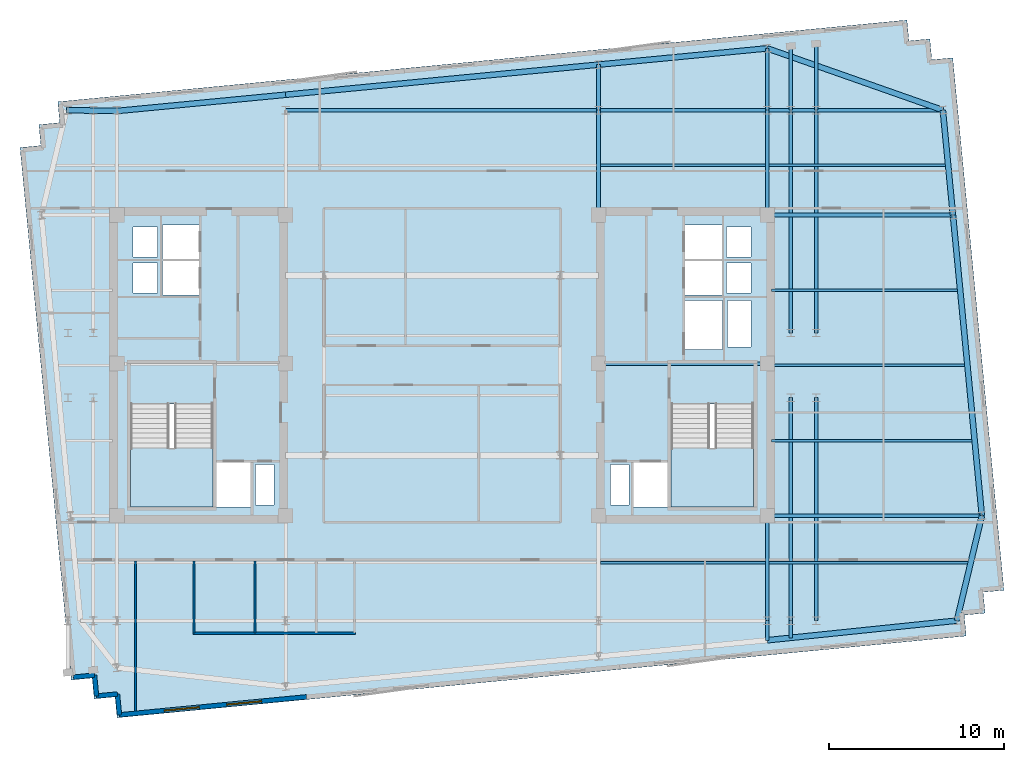
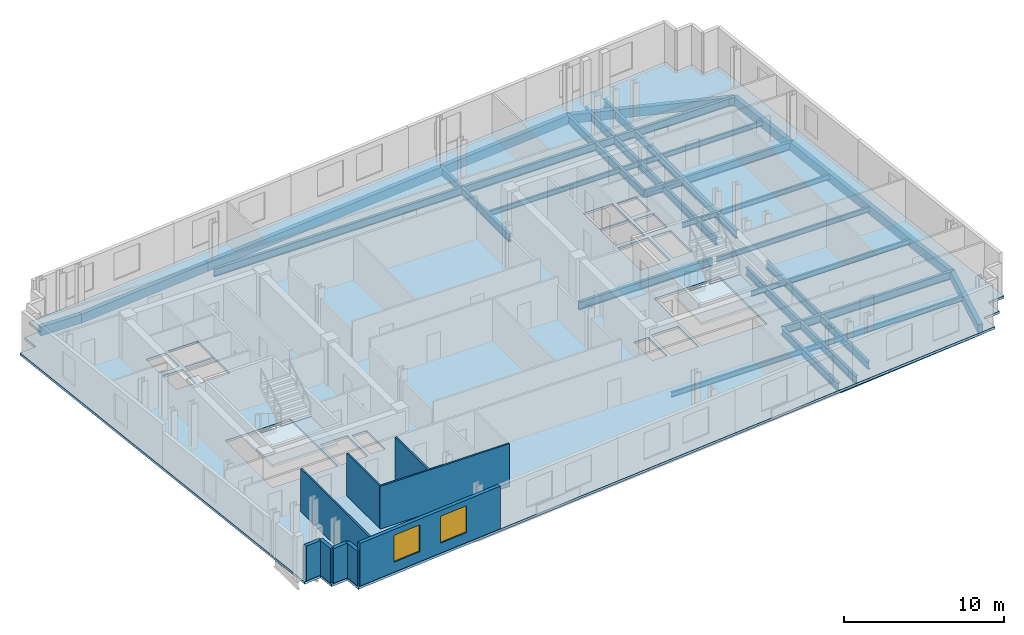
# One storey, part 2 of 8: 35 beams, 9 walls, 3 slabs, 2 windows, 2 openings, 2 elements without a shape of their own.
"""IFC4 building model written with IfcOpenShell, lengths in metres."""

from ifc_helpers import new_model, si_unit, direction, frame, frame_2d, origin, origin_2d, place, context, subcontext, project, spatial, polyline, rectangle, i_section, outline, extrude, material, layer, layer_set, material_profile, profile_set, type_object, element, fill, aggregate, save


model = new_model("IFC4")

# Units and contexts
model_context = context("Model", 3, precision=1e-05, world=origin(), true_north=direction((0.0, 1.0)))
body_context = subcontext(model_context, "Body", "Model", "MODEL_VIEW")
ifc_project = project(units=[si_unit("LENGTHUNIT", "METRE"), si_unit("AREAUNIT", "SQUARE_METRE"), si_unit("VOLUMEUNIT", "CUBIC_METRE"), si_unit("PLANEANGLEUNIT", "RADIAN"), si_unit("MASSUNIT", "GRAM", prefix="KILO")], contexts=[model_context])

# Site, building, storey
site_placement = place(None, origin())
site = spatial("IfcSite", under=ifc_project, at=site_placement, CompositionType="ELEMENT")
building_placement = place(site_placement, origin())
building = spatial("IfcBuilding", under=site, at=building_placement, Name="Velakula Bourse", CompositionType="ELEMENT")
storey_placement = place(building_placement, frame((0.0, 0.0, 255.14990234375)))
storey = spatial("IfcBuildingStorey", under=building, at=storey_placement, Name="L69", CompositionType="ELEMENT", Elevation=255.14990234375)

# Beams
ifc_material_1 = material(Name="Steel IS 2062 Grade 350 (E350)", Category="steel")
ifc_material_profile_1 = material_profile(ifc_material_1, i_section(OverallWidth=0.2099609375, OverallDepth=0.60009765625, WebThickness=0.011962890625, FlangeThickness=0.020751953125, at=origin_2d()), Name="Steel IS 2062 Grade 350 (E350)")
ifc_profile_set_1 = profile_set([ifc_material_profile_1], Name="Steel IS 2062 Grade 350 (E350)")
beam_type_1 = type_object("IfcBeamType", Name="BM-GRD-600L", PredefinedType="BEAM", material=ifc_profile_set_1)
beam_1_placement = place(storey_placement, frame((8.949951171875, 0.10009765625, -0.47998046875), z_axis=(1.0, 0.0, 0.0), x_axis=(0.0, 1.0, 0.0)))
element("IfcBeam", 1, at=beam_1_placement, inside=storey, type_object=beam_type_1, Name="L69 Primary Backbone Girder CRE-M", PredefinedType="BEAM", context=body_context, shape_type="SweptSolid", body=[
    extrude(i_section(OverallWidth=0.2099609375, OverallDepth=0.60009765625, WebThickness=0.011962890625, FlangeThickness=0.020751953125, at=origin_2d()), origin(), (0.0, 0.0, 1.0), 9.650146484375),
])
for number, where, z_axis, x_axis, name in (
    (2, (8.949951171875, 8.60009765625, -0.47998046875), (0.0, 1.0, 0.0), (-1.0, 0.0, 0.0), "L69 Fulcrum Grid Girder FLC-ECN"),
    (3, (18.60009765625, -14.60009765625, -0.47998046875), (0.0, 1.0, 0.0), (-1.0, 0.0, 0.0), "L69 Fulcrum Grid Girder FLC-ES"),
    (4, (18.60009765625, 8.60009765625, -0.47998046875), (0.0, 1.0, 0.0), (-1.0, 0.0, 0.0), "L69 Fulcrum Grid Girder FLC-EN"),
):
    element("IfcBeam", number, at=place(storey_placement, frame(where, z_axis=z_axis, x_axis=x_axis)), inside=storey, type_object=beam_type_1, Name=name, PredefinedType="BEAM", context=body_context, shape_type="SweptSolid", body=[
        extrude(i_section(OverallWidth=0.2099609375, OverallDepth=0.60009765625, WebThickness=0.011962890625, FlangeThickness=0.020751953125, at=origin_2d()), origin(), (0.0, 0.0, 1.0), 6.0),
    ])
beam_2_placement = place(storey_placement, frame((-8.949951171875, 14.60009765625, -0.47998046875), z_axis=(1.0, 0.0, 0.0), x_axis=(0.0, 1.0, 0.0)))
element("IfcBeam", 5, at=beam_2_placement, inside=storey, type_object=beam_type_1, Name="L69 Fulcrum Grid Girder FLC-N2", PredefinedType="BEAM", context=body_context, shape_type="SweptSolid", body=[
    extrude(i_section(OverallWidth=0.2099609375, OverallDepth=0.60009765625, WebThickness=0.011962890625, FlangeThickness=0.020751953125, at=origin_2d()), origin(), (0.0, 0.0, 1.0), 17.89990234375),
])
beam_3_placement = place(storey_placement, frame((8.949951171875, 14.60009765625, -0.47998046875), z_axis=(1.0, 0.0, 0.0), x_axis=(0.0, 1.0, 0.0)))
element("IfcBeam", 6, at=beam_3_placement, inside=storey, type_object=beam_type_1, Name="L69 Fulcrum Grid Girder FLC-N3", PredefinedType="BEAM", context=body_context, shape_type="SweptSolid", body=[
    extrude(i_section(OverallWidth=0.2099609375, OverallDepth=0.60009765625, WebThickness=0.011962890625, FlangeThickness=0.020751953125, at=origin_2d()), origin(), (0.0, 0.0, 1.0), 9.650146484375),
])
for number, where, z_axis, x_axis, name in (
    (7, (19.949951171875, -14.60009765625, -0.47998046875), (0.0, 1.0, 0.0), (-1.0, 0.0, 0.0), "L69 Fulcrum Grid Girder FLC-PSE1"),
    (8, (19.949951171875, 1.85009765625, -0.47998046875), (0.0, 1.0, 0.0), (-1.0, 0.0, 0.0), "L69 Fulcrum Grid Girder FLC-PNE1"),
    (9, (21.39990234375, -14.60009765625, -0.47998046875), (0.0, 1.0, 0.0), (-1.0, 0.0, 0.0), "L69 Fulcrum Grid Girder FLC-PSE2"),
    (10, (21.39990234375, 1.85009765625, -0.47998046875), (0.0, 1.0, 0.0), (-1.0, 0.0, 0.0), "L69 Fulcrum Grid Girder FLC-PNE2"),
):
    element("IfcBeam", number, at=place(storey_placement, frame(where, z_axis=z_axis, x_axis=x_axis)), inside=storey, type_object=beam_type_1, Name=name, PredefinedType="BEAM", context=body_context, shape_type="SweptSolid", body=[
        extrude(i_section(OverallWidth=0.2099609375, OverallDepth=0.60009765625, WebThickness=0.011962890625, FlangeThickness=0.020751953125, at=origin_2d()), origin(), (0.0, 0.0, 1.0), 12.75),
    ])
beam_4_placement = place(storey_placement, frame((18.60009765625, -14.60009765625, -0.47998046875), z_axis=(0.0, -1.0, 0.0), x_axis=(1.0, 0.0, 0.0)))
element("IfcBeam", 11, at=beam_4_placement, inside=storey, type_object=beam_type_1, Name="L69 Perimeter Tie Girder S4", PredefinedType="BEAM", context=body_context, shape_type="SweptSolid", body=[
    extrude(i_section(OverallWidth=0.2099609375, OverallDepth=0.60009765625, WebThickness=0.011962890625, FlangeThickness=0.020751953125, at=origin_2d()), origin(), (0.0, 0.0, 1.0), 1.1220703125),
])
beam_5_placement = place(storey_placement, frame((8.949951171875, 14.60009765625, -0.47998046875), z_axis=(0.0, 1.0, 0.0), x_axis=(-1.0, 0.0, 0.0)))
element("IfcBeam", 12, at=beam_5_placement, inside=storey, type_object=beam_type_1, Name="L69 Perimeter Tie Girder N3", PredefinedType="BEAM", context=body_context, shape_type="SweptSolid", body=[
    extrude(i_section(OverallWidth=0.2099609375, OverallDepth=0.60009765625, WebThickness=0.011962890625, FlangeThickness=0.020751953125, at=origin_2d()), origin(), (0.0, 0.0, 1.0), 2.6044921875),
])
beam_6_placement = place(storey_placement, frame((18.60009765625, 14.60009765625, -0.47998046875), z_axis=(0.0, 1.0, 0.0), x_axis=(-1.0, 0.0, 0.0)))
element("IfcBeam", 13, at=beam_6_placement, inside=storey, type_object=beam_type_1, Name="L69 Perimeter Tie Girder N4", PredefinedType="BEAM", context=body_context, shape_type="SweptSolid", body=[
    extrude(i_section(OverallWidth=0.2099609375, OverallDepth=0.60009765625, WebThickness=0.011962890625, FlangeThickness=0.020751953125, at=origin_2d()), origin(), (0.0, 0.0, 1.0), 3.53369140625),
])
beam_7_placement = place(storey_placement, frame((18.60009765625, -8.60009765625, -0.47998046875), z_axis=(1.0, 0.0, 0.0), x_axis=(0.0, 1.0, 0.0)))
element("IfcBeam", 14, at=beam_7_placement, inside=storey, type_object=beam_type_1, Name="L69 Perimeter Tie Girder E2", PredefinedType="BEAM", context=body_context, shape_type="SweptSolid", body=[
    extrude(i_section(OverallWidth=0.2099609375, OverallDepth=0.60009765625, WebThickness=0.011962890625, FlangeThickness=0.020751953125, at=origin_2d()), origin(), (0.0, 0.0, 1.0), 12.27880859375),
])
beam_8_placement = place(storey_placement, frame((18.60009765625, 8.60009765625, -0.47998046875), z_axis=(1.0, 0.0, 0.0), x_axis=(0.0, 1.0, 0.0)))
element("IfcBeam", 15, at=beam_8_placement, inside=storey, type_object=beam_type_1, Name="L69 Perimeter Tie Girder E3", PredefinedType="BEAM", context=body_context, shape_type="SweptSolid", body=[
    extrude(i_section(OverallWidth=0.2099609375, OverallDepth=0.60009765625, WebThickness=0.011962890625, FlangeThickness=0.020751953125, at=origin_2d()), origin(), (0.0, 0.0, 1.0), 10.62255859375),
])
beam_9_placement = place(storey_placement, frame((18.60009765625, 14.60009765625, -0.47998046875), z_axis=(1.0, 0.0, 0.0), x_axis=(0.0, 1.0, 0.0)))
element("IfcBeam", 16, at=beam_9_placement, inside=storey, type_object=beam_type_1, Name="L69 Perimeter Tie Girder E4", PredefinedType="BEAM", context=body_context, shape_type="SweptSolid", body=[
    extrude(i_section(OverallWidth=0.2099609375, OverallDepth=0.60009765625, WebThickness=0.011962890625, FlangeThickness=0.020751953125, at=origin_2d()), origin(), (0.0, 0.0, 1.0), 10.044921875),
])
beam_10_placement = place(storey_placement, frame((19.949951171875, -14.60009765625, -0.47998046875), z_axis=(0.0, -1.0, 0.0), x_axis=(1.0, 0.0, 0.0)))
element("IfcBeam", 17, at=beam_10_placement, inside=storey, type_object=beam_type_1, Name="L69 Perimeter Tie Girder P03", PredefinedType="BEAM", context=body_context, shape_type="SweptSolid", body=[
    extrude(i_section(OverallWidth=0.2099609375, OverallDepth=0.60009765625, WebThickness=0.011962890625, FlangeThickness=0.020751953125, at=origin_2d()), origin(), (0.0, 0.0, 1.0), 0.991943359375),
])
beam_11_placement = place(storey_placement, frame((19.949951171875, 14.60009765625, -0.47998046875), z_axis=(0.0, 1.0, 0.0), x_axis=(-1.0, 0.0, 0.0)))
element("IfcBeam", 18, at=beam_11_placement, inside=storey, type_object=beam_type_1, Name="L69 Perimeter Tie Girder P07", PredefinedType="BEAM", context=body_context, shape_type="SweptSolid", body=[
    extrude(i_section(OverallWidth=0.2099609375, OverallDepth=0.60009765625, WebThickness=0.011962890625, FlangeThickness=0.020751953125, at=origin_2d()), origin(), (0.0, 0.0, 1.0), 3.66357421875),
])
beam_12_placement = place(storey_placement, frame((21.39990234375, 14.60009765625, -0.47998046875), z_axis=(0.0, 1.0, 0.0), x_axis=(-1.0, 0.0, 0.0)))
element("IfcBeam", 19, at=beam_12_placement, inside=storey, type_object=beam_type_1, Name="L69 Perimeter Tie Girder P08", PredefinedType="BEAM", context=body_context, shape_type="SweptSolid", body=[
    extrude(i_section(OverallWidth=0.2099609375, OverallDepth=0.60009765625, WebThickness=0.011962890625, FlangeThickness=0.020751953125, at=origin_2d()), origin(), (0.0, 0.0, 1.0), 3.80322265625),
])
ifc_material_profile_2 = material_profile(ifc_material_1, i_section(OverallWidth=0.139892578125, OverallDepth=0.39990234375, WebThickness=0.0087890625, FlangeThickness=0.01611328125, at=origin_2d()), Name="Steel IS 2062 Grade 350 (E350)")
ifc_profile_set_2 = profile_set([ifc_material_profile_2], Name="Steel IS 2062 Grade 350 (E350)")
beam_type_2 = type_object("IfcBeamType", Name="JST-TWR-400", PredefinedType="JOIST", material=ifc_profile_set_2)
beam_13_placement = place(storey_placement, frame((9.054931640625, -11.300048828125, -0.3798828125), z_axis=(1.0, 0.0, 0.0), x_axis=(0.0, 1.0, 0.0)))
element("IfcBeam", 20, at=beam_13_placement, inside=storey, type_object=beam_type_2, Name="L69 Trading Floor Composite Joist 06", PredefinedType="JOIST", context=body_context, shape_type="SweptSolid", body=[
    extrude(i_section(OverallWidth=0.139892578125, OverallDepth=0.39990234375, WebThickness=0.0087890625, FlangeThickness=0.01611328125, at=origin_2d()), origin(), (0.0, 0.0, 1.0), 9.440185546875),
])
beam_14_placement = place(storey_placement, frame((18.705078125, -11.300048828125, -0.3798828125), z_axis=(1.0, 0.0, 0.0), x_axis=(0.0, 1.0, 0.0)))
element("IfcBeam", 21, at=beam_14_placement, inside=storey, type_object=beam_type_2, Name="L69 Trading Floor Composite Joist 07", PredefinedType="JOIST", context=body_context, shape_type="SweptSolid", body=[
    extrude(i_section(OverallWidth=0.139892578125, OverallDepth=0.39990234375, WebThickness=0.0087890625, FlangeThickness=0.01611328125, at=origin_2d()), origin(), (0.0, 0.0, 1.0), 11.364990234375),
])
beam_15_placement = place(storey_placement, frame((9.054931640625, 11.449951171875, -0.3798828125), z_axis=(1.0, 0.0, 0.0), x_axis=(0.0, 1.0, 0.0)))
element("IfcBeam", 22, at=beam_15_placement, inside=storey, type_object=beam_type_2, Name="L69 Trading Floor Composite Joist 11", PredefinedType="JOIST", context=body_context, shape_type="SweptSolid", body=[
    extrude(i_section(OverallWidth=0.139892578125, OverallDepth=0.39990234375, WebThickness=0.0087890625, FlangeThickness=0.01611328125, at=origin_2d()), origin(), (0.0, 0.0, 1.0), 9.440185546875),
])
beam_16_placement = place(storey_placement, frame((18.705078125, 11.449951171875, -0.3798828125), z_axis=(1.0, 0.0, 0.0), x_axis=(0.0, 1.0, 0.0)))
element("IfcBeam", 23, at=beam_16_placement, inside=storey, type_object=beam_type_2, Name="L69 Trading Floor Composite Joist 12", PredefinedType="JOIST", context=body_context, shape_type="SweptSolid", body=[
    extrude(i_section(OverallWidth=0.139892578125, OverallDepth=0.39990234375, WebThickness=0.0087890625, FlangeThickness=0.01611328125, at=origin_2d()), origin(), (0.0, 0.0, 1.0), 10.08251953125),
])
beam_17_placement = place(storey_placement, frame((18.85009765625, -4.300048828125, -0.3798828125), z_axis=(1.0, 0.0, 0.0), x_axis=(0.0, 1.0, 0.0)))
element("IfcBeam", 24, at=beam_17_placement, inside=storey, type_object=beam_type_2, Name="L69 Trading Floor Composite Joist 17", PredefinedType="JOIST", context=body_context, shape_type="SweptSolid", body=[
    extrude(i_section(OverallWidth=0.139892578125, OverallDepth=0.39990234375, WebThickness=0.0087890625, FlangeThickness=0.01611328125, at=origin_2d()), origin(), (0.0, 0.0, 1.0), 11.453857421875),
])
beam_18_placement = place(storey_placement, frame((18.85009765625, 0.0, -0.3798828125), z_axis=(1.0, 0.0, 0.0), x_axis=(0.0, 1.0, 0.0)))
element("IfcBeam", 25, at=beam_18_placement, inside=storey, type_object=beam_type_2, Name="L69 Trading Floor Composite Joist 19", PredefinedType="JOIST", context=body_context, shape_type="SweptSolid", body=[
    extrude(i_section(OverallWidth=0.139892578125, OverallDepth=0.39990234375, WebThickness=0.0087890625, FlangeThickness=0.01611328125, at=origin_2d()), origin(), (0.0, 0.0, 1.0), 11.039794921875),
])
beam_19_placement = place(storey_placement, frame((18.85009765625, 4.300048828125, -0.3798828125), z_axis=(1.0, 0.0, 0.0), x_axis=(0.0, 1.0, 0.0)))
element("IfcBeam", 26, at=beam_19_placement, inside=storey, type_object=beam_type_2, Name="L69 Trading Floor Composite Joist 21", PredefinedType="JOIST", context=body_context, shape_type="SweptSolid", body=[
    extrude(i_section(OverallWidth=0.139892578125, OverallDepth=0.39990234375, WebThickness=0.0087890625, FlangeThickness=0.01611328125, at=origin_2d()), origin(), (0.0, 0.0, 1.0), 10.6259765625),
])
ifc_material_2 = material(Name="Precast concrete M45 (fck 45 MPa)", Category="concrete")
ifc_material_profile_3 = material_profile(ifc_material_2, rectangle(XDim=0.320068359375, YDim=0.679931640625, at=origin_2d()), Name="Precast concrete M45 (fck 45 MPa)")
ifc_profile_set_3 = profile_set([ifc_material_profile_3], Name="Precast concrete M45 (fck 45 MPa)")
beam_type_3 = type_object("IfcBeamType", Name="SPN-BRICK-680", PredefinedType="SPANDREL", material=ifc_profile_set_3)
beam_20_placement = place(storey_placement, frame((-18.60009765625, 14.5517578125, -0.52001953125), z_axis=(0.99539623971, 0.095845323155, 0.0), x_axis=(-0.095845323155, 0.99539623971, 0.0)))
element("IfcBeam", 27, at=beam_20_placement, inside=storey, type_object=beam_type_3, Name="L69 Brick-Faced Precast Spandrel N1-N2", PredefinedType="SPANDREL", context=body_context, shape_type="SweptSolid", body=[
    extrude(rectangle(XDim=0.320068359375, YDim=0.679931640625, at=origin_2d()), origin(), (0.0, 0.0, 1.0), 9.69482421875),
])
beam_21_placement = place(storey_placement, frame((-8.949951171875, 15.48095703125, -0.52001953125), z_axis=(0.995395836254, 0.095849513134, 0.0), x_axis=(-0.095849513134, 0.995395836254, 0.0)))
element("IfcBeam", 28, at=beam_21_placement, inside=storey, type_object=beam_type_3, Name="L69 Brick-Faced Precast Spandrel N2-N3", PredefinedType="SPANDREL", context=body_context, shape_type="SweptSolid", body=[
    extrude(rectangle(XDim=0.320068359375, YDim=0.679931640625, at=origin_2d()), origin(), (0.0, 0.0, 1.0), 17.982666015625),
])
beam_22_placement = place(storey_placement, frame((8.949951171875, 17.20458984375, -0.52001953125), z_axis=(0.99539623971, 0.095845323155, 0.0), x_axis=(-0.095845323155, 0.99539623971, 0.0)))
element("IfcBeam", 29, at=beam_22_placement, inside=storey, type_object=beam_type_3, Name="L69 Brick-Faced Precast Spandrel N3-N4", PredefinedType="SPANDREL", context=body_context, shape_type="SweptSolid", body=[
    extrude(rectangle(XDim=0.320068359375, YDim=0.679931640625, at=origin_2d()), origin(), (0.0, 0.0, 1.0), 9.69482421875),
])
beam_23_placement = place(storey_placement, frame((29.447265625, -14.60009765625, -0.52001953125), z_axis=(0.232091371601, 0.972693988482, 0.0), x_axis=(-0.972693988482, 0.232091371601, 0.0)))
element("IfcBeam", 30, at=beam_23_placement, inside=storey, type_object=beam_type_3, Name="L69 Brick-Faced Precast Spandrel E1-E2", PredefinedType="SPANDREL", context=body_context, shape_type="SweptSolid", body=[
    extrude(rectangle(XDim=0.320068359375, YDim=0.679931640625, at=origin_2d()), origin(), (0.0, 0.0, 1.0), 6.16845703125),
])
beam_24_placement = place(storey_placement, frame((30.87890625, -8.60009765625, -0.52001953125), z_axis=(-0.095849167925, 0.995395869495, 0.0), x_axis=(-0.995395869495, -0.095849167925, 0.0)))
element("IfcBeam", 31, at=beam_24_placement, inside=storey, type_object=beam_type_3, Name="L69 Brick-Faced Precast Spandrel E2-E3", PredefinedType="SPANDREL", context=body_context, shape_type="SweptSolid", body=[
    extrude(rectangle(XDim=0.320068359375, YDim=0.679931640625, at=origin_2d()), origin(), (0.0, 0.0, 1.0), 17.27978515625),
])
beam_25_placement = place(storey_placement, frame((29.22265625, 8.60009765625, -0.52001953125), z_axis=(-0.095829714309, 0.995397742541, 0.0), x_axis=(-0.995397742541, -0.095829714309, 0.0)))
element("IfcBeam", 32, at=beam_25_placement, inside=storey, type_object=beam_type_3, Name="L69 Brick-Faced Precast Spandrel E3-E4", PredefinedType="SPANDREL", context=body_context, shape_type="SweptSolid", body=[
    extrude(rectangle(XDim=0.320068359375, YDim=0.679931640625, at=origin_2d()), origin(), (0.0, 0.0, 1.0), 6.02783203125),
])
beam_26_placement = place(storey_placement, frame((18.60009765625, -15.72216796875, -0.52001953125), z_axis=(0.994692267912, 0.102894568159, 0.0), x_axis=(-0.102894568159, 0.994692267912, 0.0)))
element("IfcBeam", 33, at=beam_26_placement, inside=storey, type_object=beam_type_3, Name="L69 Brick-Faced Precast Spandrel S4-E1", PredefinedType="SPANDREL", context=body_context, shape_type="SweptSolid", body=[
    extrude(rectangle(XDim=0.320068359375, YDim=0.679931640625, at=origin_2d()), origin(), (0.0, 0.0, 1.0), 10.905029296875),
])
beam_27_placement = place(storey_placement, frame((28.64501953125, 14.60009765625, -0.52001953125), z_axis=(-0.943331000058, 0.331853317491, 0.0), x_axis=(-0.331853317491, -0.943331000058, 0.0)))
element("IfcBeam", 34, at=beam_27_placement, inside=storey, type_object=beam_type_3, Name="L69 Brick-Faced Precast Spandrel E4-N4", PredefinedType="SPANDREL", context=body_context, shape_type="SweptSolid", body=[
    extrude(rectangle(XDim=0.320068359375, YDim=0.679931640625, at=origin_2d()), origin(), (0.0, 0.0, 1.0), 10.6484375),
])
beam_28_placement = place(storey_placement, frame((-18.60009765625, 14.5517578125, -0.52001953125), z_axis=(-0.999859727013, 0.016748919285, 0.0), x_axis=(-0.016748919285, -0.999859727013, 0.0)))
element("IfcBeam", 35, at=beam_28_placement, inside=storey, type_object=beam_type_3, Name="L69 Brick-Faced Precast Spandrel N1-W4", PredefinedType="SPANDREL", context=body_context, shape_type="SweptSolid", body=[
    extrude(rectangle(XDim=0.320068359375, YDim=0.679931640625, at=origin_2d()), origin(), (0.0, 0.0, 1.0), 2.88623046875),
])

# Stair, slab
ifc_material_3 = material(Name="Concrete M45 (fck 45 MPa)", Category="concrete")
stair_type = type_object("IfcStairType", Name="STR-DOG-390", PredefinedType="HALF_TURN_STAIR", material=ifc_material_3)
stair_1_placement = place(storey_placement, origin())
stair_1 = element("IfcStair", 36, at=stair_1_placement, inside=storey, type_object=stair_type, Name="L69 West Core Exit Stair ST-W1", PredefinedType="HALF_TURN_STAIR")
ifc_layer_1 = layer(ifc_material_3, 0.199951171875, Name="Concrete M45 (fck 45 MPa)", Category="concrete")
ifc_layer_set_1 = layer_set([ifc_layer_1], Name="Concrete M45 (fck 45 MPa)")
slab_type_1 = type_object("IfcSlabType", Name="SLB-STAIR-LND-200", PredefinedType="LANDING", material=ifc_layer_set_1)
slab_1_placement = place(storey_placement, frame((0.0, 0.0, 1.525146484375)))
slab_1 = element("IfcSlab", 37, at=slab_1_placement, type_object=slab_type_1, Name="ST-W1 landing 1", PredefinedType="LANDING", context=body_context, shape_type="SweptSolid", body=[
    extrude(outline(polyline([(-17.820068359375, -4.719970703125), (-17.820068359375, -8.10009765625), (-13.10009765625, -8.10009765625), (-13.10009765625, -4.719970703125), (-17.820068359375, -4.719970703125)])), origin(), (0.0, 0.0, 1.0), 0.199951171875),
])
aggregate(stair_1, [slab_1])

stair_2_placement = place(storey_placement, origin())
stair_2 = element("IfcStair", 38, at=stair_2_placement, inside=storey, type_object=stair_type, Name="L69 East Core Exit Stair ST-E1", PredefinedType="HALF_TURN_STAIR")
slab_2_placement = place(storey_placement, frame((0.0, 0.0, 1.525146484375)))
slab_2 = element("IfcSlab", 39, at=slab_2_placement, type_object=slab_type_1, Name="ST-E1 landing 1", PredefinedType="LANDING", context=body_context, shape_type="SweptSolid", body=[
    extrude(outline(polyline([(13.10009765625, -4.719970703125), (13.10009765625, -8.10009765625), (17.820068359375, -8.10009765625), (17.820068359375, -4.719970703125), (13.10009765625, -4.719970703125)])), origin(), (0.0, 0.0, 1.0), 0.199951171875),
])
aggregate(stair_2, [slab_2])

# Slab
ifc_material_4 = material(Name="Concrete M50 (fck 50 MPa)", Category="concrete")
ifc_layer_2 = layer(ifc_material_4, 0.179931640625, Name="Concrete M50 (fck 50 MPa)", Category="concrete")
ifc_layer_set_2 = layer_set([ifc_layer_2], Name="Concrete M50 (fck 50 MPa)")
slab_type_2 = type_object("IfcSlabType", Name="SLB-TWR-180", PredefinedType="FLOOR", material=ifc_layer_set_2)
slab_3_placement = place(storey_placement, frame((0.0, 0.0, -0.179931640625)))
element("IfcSlab", 40, at=slab_3_placement, inside=storey, type_object=slab_type_2, Name="L69 Suspended Structural Floor Slab", PredefinedType="FLOOR", context=body_context, shape_type="SweptSolid", body=[
    extrude(outline(polyline([(-18.59130859375, -20.1572265625), (29.984130859375, -15.47998046875), (29.869140625, -14.285400390625), (31.0634765625, -14.17041015625), (30.948486328125, -12.975830078125), (32.14306640625, -12.86083984375), (29.210205078125, 17.59814453125), (28.015625, 17.483154296875), (27.900634765625, 18.677734375), (26.706298828125, 18.562744140625), (26.59130859375, 19.757080078125), (-21.984130859375, 15.079833984375), (-21.869140625, 13.885498046875), (-23.0634765625, 13.7705078125), (-22.948486328125, 12.575927734375), (-24.14306640625, 12.4609375), (-21.210205078125, -17.998291015625), (-20.015625, -17.88330078125), (-19.900634765625, -19.07763671875), (-18.706298828125, -18.962646484375), (-18.59130859375, -20.1572265625)]), holes=[polyline([(-17.820068359375, -8.10009765625), (-13.10009765625, -8.10009765625), (-13.10009765625, -2.199951171875), (-17.820068359375, -2.199951171875), (-17.820068359375, -8.10009765625)]), polyline([(13.10009765625, -8.10009765625), (17.820068359375, -8.10009765625), (17.820068359375, -2.199951171875), (13.10009765625, -2.199951171875), (13.10009765625, -8.10009765625)]), polyline([(-12.89990234375, -8.10009765625), (-10.949951171875, -8.10009765625), (-10.949951171875, -5.550048828125), (-12.89990234375, -5.550048828125), (-12.89990234375, -8.10009765625)]), polyline([(10.949951171875, -8.10009765625), (12.89990234375, -8.10009765625), (12.89990234375, -5.550048828125), (10.949951171875, -5.550048828125), (10.949951171875, -8.10009765625)]), polyline([(13.89990234375, 0.919921875), (16.050048828125, 0.919921875), (16.050048828125, 3.719970703125), (13.89990234375, 3.719970703125), (13.89990234375, 0.919921875)]), polyline([(-10.679931640625, -7.97998046875), (-9.6201171875, -7.97998046875), (-9.6201171875, -5.669921875), (-10.679931640625, -5.669921875), (-10.679931640625, -7.97998046875)]), polyline([(-17.679931640625, 4.139892578125), (-16.27001953125, 4.139892578125), (-16.27001953125, 5.85009765625), (-17.679931640625, 5.85009765625), (-17.679931640625, 4.139892578125)]), polyline([(-17.679931640625, 6.2099609375), (-16.27001953125, 6.2099609375), (-16.27001953125, 7.919921875), (-17.679931640625, 7.919921875), (-17.679931640625, 6.2099609375)]), polyline([(9.6201171875, -7.97998046875), (10.679931640625, -7.97998046875), (10.679931640625, -5.669921875), (9.6201171875, -5.669921875), (9.6201171875, -7.97998046875)]), polyline([(16.27001953125, 4.139892578125), (17.679931640625, 4.139892578125), (17.679931640625, 5.85009765625), (16.27001953125, 5.85009765625), (16.27001953125, 4.139892578125)]), polyline([(16.27001953125, 6.2099609375), (17.679931640625, 6.2099609375), (17.679931640625, 7.919921875), (16.27001953125, 7.919921875), (16.27001953125, 6.2099609375)]), polyline([(16.320068359375, 1.0400390625), (17.679931640625, 1.0400390625), (17.679931640625, 3.699951171875), (16.320068359375, 3.699951171875), (16.320068359375, 1.0400390625)]), polyline([(-16.0, 4.02001953125), (-13.89990234375, 4.02001953125), (-13.89990234375, 5.969970703125), (-16.0, 5.969970703125), (-16.0, 4.02001953125)]), polyline([(-16.0, 6.090087890625), (-13.89990234375, 6.090087890625), (-13.89990234375, 8.0400390625), (-16.0, 8.0400390625), (-16.0, 6.090087890625)]), polyline([(13.89990234375, 4.02001953125), (16.0, 4.02001953125), (16.0, 5.969970703125), (13.89990234375, 5.969970703125), (13.89990234375, 4.02001953125)]), polyline([(13.89990234375, 6.090087890625), (16.0, 6.090087890625), (16.0, 8.0400390625), (13.89990234375, 8.0400390625), (13.89990234375, 6.090087890625)])]), origin(), (0.0, 0.0, 1.0), 0.179931640625),
])

# Wall, openings, windows
ifc_material_5 = material(Name="Buff kilned clay facing brick masonry", Category="masonry")
ifc_layer_3 = layer(ifc_material_5, 0.260009765625, Name="Buff kilned clay facing brick masonry", Category="masonry")
ifc_layer_set_3 = layer_set([ifc_layer_3], Name="Buff kilned clay facing brick masonry")
wall_type_1 = type_object("IfcWallType", Name="WL-EXT-BRK-260", PredefinedType="STANDARD", material=ifc_layer_set_3)
wall_1_placement = place(storey_placement, frame((-7.755859375, -18.963134765625, 0.0), z_axis=(0.0, 0.0, 1.0), x_axis=(-0.995396745868, -0.095840066339, 0.0)))
wall_1 = element("IfcWall", 41, at=wall_1_placement, inside=storey, type_object=wall_type_1, Name="L69 S Brick Spandrel Wall B1", PredefinedType="STANDARD", context=body_context, shape_type="SweptSolid", body=[
    extrude(rectangle(XDim=10.75, YDim=0.260009765625, at=frame_2d((5.375, 0.0))), origin(), (0.0, 0.0, 1.0), 3.25),
])
opening_1_placement = place(wall_1_placement, frame((2.583251953125, 0.0, 0.760009765625)))
opening_1 = element("IfcOpeningElement", 42, at=opening_1_placement, cuts=wall_1, Name="Opening W-05", PredefinedType="OPENING", context=body_context, shape_type="SweptSolid", body=[
    extrude(rectangle(XDim=2.0, YDim=2.050048828125, at=frame_2d((1.0, 1.02490234375))), frame((0.0, 0.139892578125, 0.0), z_axis=(0.0, -1.0, 0.0), x_axis=(1.0, 0.0, 0.0)), (0.0, 0.0, 1.0), 0.280029296875),
])
opening_2_placement = place(wall_1_placement, frame((6.166748046875, 0.0, 0.760009765625)))
opening_2 = element("IfcOpeningElement", 43, at=opening_2_placement, cuts=wall_1, Name="Opening W-05", PredefinedType="OPENING", context=body_context, shape_type="SweptSolid", body=[
    extrude(rectangle(XDim=2.0, YDim=2.050048828125, at=frame_2d((1.0, 1.02490234375))), frame((0.0, 0.139892578125, 0.0), z_axis=(0.0, -1.0, 0.0), x_axis=(1.0, 0.0, 0.0)), (0.0, 0.0, 1.0), 0.280029296875),
])
ifc_material_6 = material(Name="Double-glazed solar-control Low-E glass", Category="glass")
window_type = type_object("IfcWindowType", Name="WIN-TWR-2000x2200", PartitioningType="DOUBLE_PANEL_VERTICAL", PredefinedType="WINDOW", material=ifc_material_6)
window_1_placement = place(opening_1_placement, origin())
window_1 = element("IfcWindow", 44, at=window_1_placement, inside=storey, type_object=window_type, Name="L69 Deep-Set Recessed Window 1", OverallHeight=2.050048828125, OverallWidth=2.0, PartitioningType="DOUBLE_PANEL_VERTICAL", PredefinedType="WINDOW", context=body_context, shape_type="SweptSolid", body=[
    extrude(rectangle(XDim=2.0, YDim=2.050048828125, at=frame_2d((1.0, 1.02490234375))), frame((0.0, 0.030029296875, 0.0), z_axis=(0.0, -1.0, 0.0), x_axis=(1.0, 0.0, 0.0)), (0.0, 0.0, 1.0), 0.06005859375),
])
fill(opening_1, window_1)
window_2_placement = place(opening_2_placement, origin())
window_2 = element("IfcWindow", 45, at=window_2_placement, inside=storey, type_object=window_type, Name="L69 Deep-Set Recessed Window 2", OverallHeight=2.050048828125, OverallWidth=2.0, PartitioningType="DOUBLE_PANEL_VERTICAL", PredefinedType="WINDOW", context=body_context, shape_type="SweptSolid", body=[
    extrude(rectangle(XDim=2.0, YDim=2.050048828125, at=frame_2d((1.0, 1.02490234375))), frame((0.0, 0.030029296875, 0.0), z_axis=(0.0, -1.0, 0.0), x_axis=(1.0, 0.0, 0.0)), (0.0, 0.0, 1.0), 0.06005859375),
])
fill(opening_2, window_2)

# Walls
wall_2_placement = place(storey_placement, frame((-21.0751953125, -17.83447265625, 0.0), z_axis=(0.0, 0.0, 1.0), x_axis=(0.995397091755, 0.095836473879, 0.0)))
element("IfcWall", 46, at=wall_2_placement, inside=storey, type_object=wall_type_1, Name="L69 Serrated Corner Brick Wall SW-1", PredefinedType="STANDARD", context=body_context, shape_type="SweptSolid", body=[
    extrude(rectangle(XDim=1.199951171875, YDim=0.260009765625, at=frame_2d((0.60009765625, 0.0))), origin(), (0.0, 0.0, 1.0), 2.64501953125),
])
for number, where, z_axis, x_axis, name in (
    (47, (-19.880859375, -17.719482421875, 0.0), (0.0, 0.0, 1.0), (0.095817067274, -0.995398960025, 0.0), "L69 Serrated Corner Brick Wall SW-2"),
    (48, (-19.765869140625, -18.9140625, 0.0), (0.0, 0.0, 1.0), (0.995398960025, 0.095817067274, 0.0), "L69 Serrated Corner Brick Wall SW-3"),
):
    element("IfcWall", number, at=place(storey_placement, frame(where, z_axis=z_axis, x_axis=x_axis)), inside=storey, type_object=wall_type_1, Name=name, PredefinedType="STANDARD", context=body_context, shape_type="SweptSolid", body=[
        extrude(rectangle(XDim=1.2001953125, YDim=0.260009765625, at=frame_2d((0.60009765625, 0.0))), origin(), (0.0, 0.0, 1.0), 2.64501953125),
    ])
wall_3_placement = place(storey_placement, frame((-18.5712890625, -18.799072265625, 0.0), z_axis=(0.0, 0.0, 1.0), x_axis=(0.095836473879, -0.995397091755, 0.0)))
element("IfcWall", 49, at=wall_3_placement, inside=storey, type_object=wall_type_1, Name="L69 Serrated Corner Brick Wall SW-4", PredefinedType="STANDARD", context=body_context, shape_type="SweptSolid", body=[
    extrude(rectangle(XDim=1.199951171875, YDim=0.260009765625, at=frame_2d((0.60009765625, 0.0))), origin(), (0.0, 0.0, 1.0), 2.64501953125),
])
ifc_material_7 = material(Name="Fire-rated double-layer gypsum drywall partition", Category="gypsum")
ifc_layer_4 = layer(ifc_material_7, 0.1201171875, Name="Fire-rated double-layer gypsum drywall partition", Category="gypsum")
ifc_layer_set_4 = layer_set([ifc_layer_4], Name="Fire-rated double-layer gypsum drywall partition")
wall_type_2 = type_object("IfcWallType", Name="WL-PART-120", PredefinedType="STANDARD", material=ifc_layer_set_4)
wall_4_placement = place(storey_placement, frame((-14.260009765625, -15.320068359375, 0.0), z_axis=(0.0, 0.0, 1.0), x_axis=(1.0, 0.0, 0.0)))
element("IfcWall", 50, at=wall_4_placement, inside=storey, type_object=wall_type_2, Name="L69 Interior Partition WL-WC-L69-BACK", PredefinedType="STANDARD", context=body_context, shape_type="SweptSolid", body=[
    extrude(rectangle(XDim=9.320068359375, YDim=0.1201171875, at=frame_2d((4.66015625, 0.0))), origin(), (0.0, 0.0, 1.0), 3.25),
])
for number, where, z_axis, x_axis, name in (
    (51, (-14.199951171875, -15.320068359375, 0.0), (0.0, 0.0, 1.0), (0.0, 1.0, 0.0), "L69 Interior Partition WL-WC-L69-V1"),
    (52, (-10.699951171875, -15.320068359375, 0.0), (0.0, 0.0, 1.0), (0.0, 1.0, 0.0), "L69 Interior Partition WL-WC-L69-V2"),
):
    element("IfcWall", number, at=place(storey_placement, frame(where, z_axis=z_axis, x_axis=x_axis)), inside=storey, type_object=wall_type_2, Name=name, PredefinedType="STANDARD", context=body_context, shape_type="SweptSolid", body=[
        extrude(rectangle(XDim=4.130126953125, YDim=0.1201171875, at=frame_2d((2.06494140625, 0.0))), origin(), (0.0, 0.0, 1.0), 3.25),
    ])
wall_5_placement = place(storey_placement, frame((-17.531982421875, -19.77392578125, 0.0), z_axis=(0.0, 0.0, 1.0), x_axis=(0.0, 1.0, 0.0)))
element("IfcWall", 53, at=wall_5_placement, inside=storey, type_object=wall_type_2, Name="L69 Interior Partition WL-INT-L69-SL-D5", PredefinedType="STANDARD", context=body_context, shape_type="SweptSolid", body=[
    extrude(rectangle(XDim=8.583984375, YDim=0.1201171875, at=frame_2d((4.2919921875, 0.0))), origin(), (0.0, 0.0, 1.0), 3.25),
])

save(model, "model.ifc")
